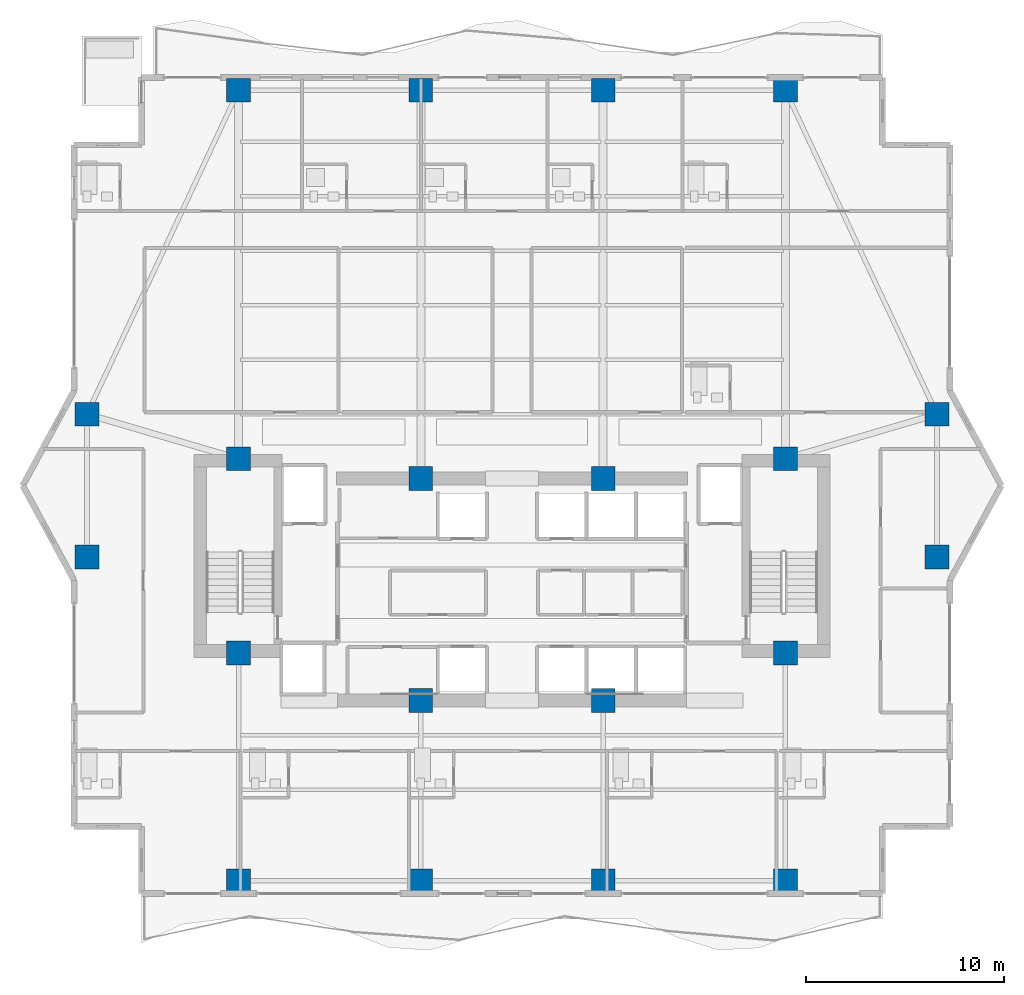
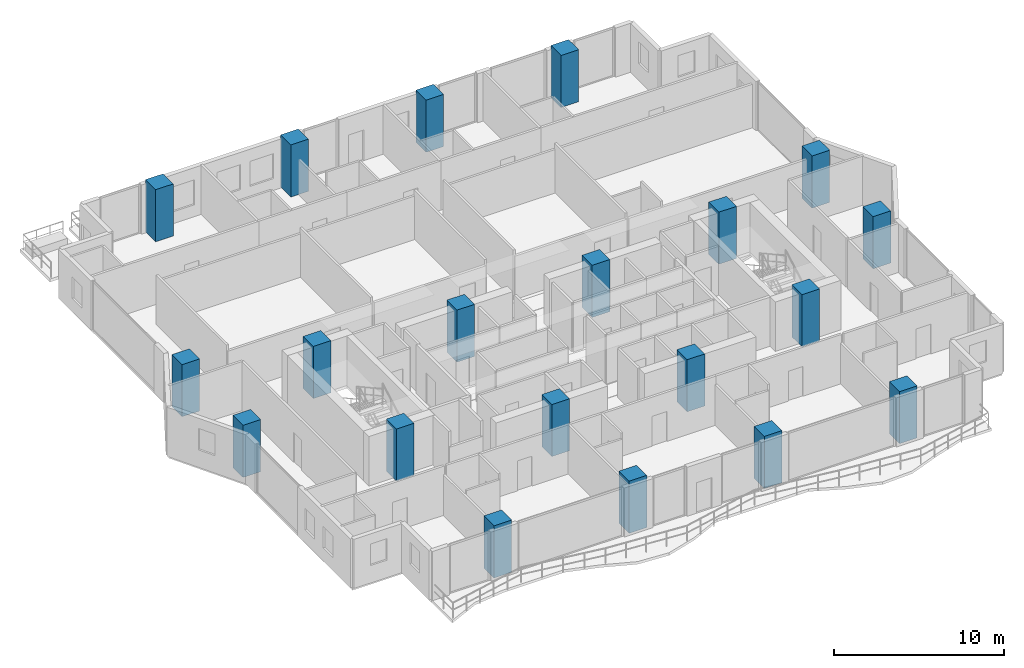
# One storey, part 1 of 32: 20 columns.
"""IFC4 building model written with IfcOpenShell, lengths in metres."""

from ifc_helpers import new_model, si_unit, direction, frame, origin, origin_2d, place, context, subcontext, project, spatial, rectangle, extrude, material, material_profile, profile_set, type_object, element, save


model = new_model("IFC4")

# Units and contexts
model_context = context("Model", 3, precision=1e-05, world=origin(), true_north=direction((0.0, 1.0)))
body_context = subcontext(model_context, "Body", "Model", "MODEL_VIEW")
ifc_project = project(units=[si_unit("LENGTHUNIT", "METRE"), si_unit("AREAUNIT", "SQUARE_METRE"), si_unit("VOLUMEUNIT", "CUBIC_METRE"), si_unit("PLANEANGLEUNIT", "RADIAN"), si_unit("MASSUNIT", "GRAM", prefix="KILO")], contexts=[model_context])

# Site, building, storey
site_placement = place(None, origin())
site = spatial("IfcSite", under=ifc_project, at=site_placement, CompositionType="ELEMENT")
building_placement = place(site_placement, origin())
building = spatial("IfcBuilding", under=site, at=building_placement, Name="Zuhayl Quay Hotel", CompositionType="ELEMENT")
storey_placement = place(building_placement, frame((0.0, 0.0, 177.39990234375)))
storey = spatial("IfcBuildingStorey", under=building, at=storey_placement, Name="L44", CompositionType="ELEMENT", Elevation=177.39990234375)

# Columns
ifc_material = material(Name="Concrete C60/75", Category="concrete")
ifc_material_profile_1 = material_profile(ifc_material, rectangle(XDim=1.199951171875, YDim=1.199951171875, at=origin_2d()), Name="RC1200X1200")
ifc_profile_set_1 = profile_set([ifc_material_profile_1], Name="Concrete C60/75")
column_type_1 = type_object("IfcColumnType", Name="CL_CC2_1200", PredefinedType="COLUMN", material=ifc_profile_set_1)
for number, where, z_axis, x_axis, name in (
    (1, (-13.800048828125, 14.35009765625, 0.0), (0.0, 0.0, 1.0), (1.0, 0.0, 0.0), "L44 Core Column CC_NW"),
    (2, (-4.60009765625, 13.35009765625, 0.0), (0.0, 0.0, 1.0), (1.0, 0.0, 0.0), "L44 Core Column CC_CNW"),
    (3, (4.60009765625, 13.35009765625, 0.0), (0.0, 0.0, 1.0), (1.0, 0.0, 0.0), "L44 Core Column CC_CNE"),
    (4, (13.800048828125, 14.35009765625, 0.0), (0.0, 0.0, 1.0), (1.0, 0.0, 0.0), "L44 Core Column CC_NE"),
    (5, (-13.800048828125, 4.550048828125, 0.0), (0.0, 0.0, 1.0), (1.0, 0.0, 0.0), "L44 Core Column CC_SW"),
    (6, (-4.60009765625, 2.14990234375, 0.0), (0.0, 0.0, 1.0), (1.0, 0.0, 0.0), "L44 Core Column CC_CSW"),
    (7, (4.60009765625, 2.14990234375, 0.0), (0.0, 0.0, 1.0), (1.0, 0.0, 0.0), "L44 Core Column CC_CSE"),
    (8, (13.800048828125, 4.550048828125, 0.0), (0.0, 0.0, 1.0), (1.0, 0.0, 0.0), "L44 Core Column CC_SE"),
):
    element("IfcColumn", number, at=place(storey_placement, frame(where, z_axis=z_axis, x_axis=x_axis)), inside=storey, type_object=column_type_1, Name=name, PredefinedType="COLUMN", context=body_context, shape_type="SweptSolid", body=[
        extrude(rectangle(XDim=1.199951171875, YDim=1.199951171875, at=origin_2d()), origin(), (0.0, 0.0, 1.0), 3.75),
    ])
ifc_material_profile_2 = material_profile(ifc_material, rectangle(XDim=1.199951171875, YDim=1.199951171875, at=origin_2d()), Name="RC1200X1200")
ifc_profile_set_2 = profile_set([ifc_material_profile_2], Name="Concrete C60/75")
column_type_2 = type_object("IfcColumnType", Name="CL_MC3_1200", PredefinedType="COLUMN", material=ifc_profile_set_2)
for number, where, z_axis, x_axis, name in (
    (9, (-13.800048828125, -6.949951171875, 0.0), (0.0, 0.0, 1.0), (1.0, 0.0, 0.0), "L44 Mega-Column MC_S1"),
    (10, (-4.60009765625, -6.949951171875, 0.0), (0.0, 0.0, 1.0), (1.0, 0.0, 0.0), "L44 Mega-Column MC_S2"),
    (11, (4.60009765625, -6.949951171875, 0.0), (0.0, 0.0, 1.0), (1.0, 0.0, 0.0), "L44 Mega-Column MC_S3"),
    (12, (13.800048828125, -6.949951171875, 0.0), (0.0, 0.0, 1.0), (1.0, 0.0, 0.0), "L44 Mega-Column MC_S4"),
    (13, (-13.800048828125, 32.949951171875, 0.0), (0.0, 0.0, 1.0), (1.0, 0.0, 0.0), "L44 Mega-Column MC_N1"),
    (14, (-4.60009765625, 32.949951171875, 0.0), (0.0, 0.0, 1.0), (1.0, 0.0, 0.0), "L44 Mega-Column MC_N2"),
    (15, (4.60009765625, 32.949951171875, 0.0), (0.0, 0.0, 1.0), (1.0, 0.0, 0.0), "L44 Mega-Column MC_N3"),
    (16, (13.800048828125, 32.949951171875, 0.0), (0.0, 0.0, 1.0), (1.0, 0.0, 0.0), "L44 Mega-Column MC_N4"),
    (17, (-21.449951171875, 9.39990234375, 0.0), (0.0, 0.0, 1.0), (1.0, 0.0, 0.0), "L44 Mega-Column MC_W1"),
    (18, (-21.449951171875, 16.60009765625, 0.0), (0.0, 0.0, 1.0), (1.0, 0.0, 0.0), "L44 Mega-Column MC_W2"),
    (19, (21.449951171875, 9.39990234375, 0.0), (0.0, 0.0, 1.0), (1.0, 0.0, 0.0), "L44 Mega-Column MC_E1"),
    (20, (21.449951171875, 16.60009765625, 0.0), (0.0, 0.0, 1.0), (1.0, 0.0, 0.0), "L44 Mega-Column MC_E2"),
):
    element("IfcColumn", number, at=place(storey_placement, frame(where, z_axis=z_axis, x_axis=x_axis)), inside=storey, type_object=column_type_2, Name=name, PredefinedType="COLUMN", context=body_context, shape_type="SweptSolid", body=[
        extrude(rectangle(XDim=1.199951171875, YDim=1.199951171875, at=origin_2d()), origin(), (0.0, 0.0, 1.0), 3.75),
    ])

save(model, "model.ifc")
